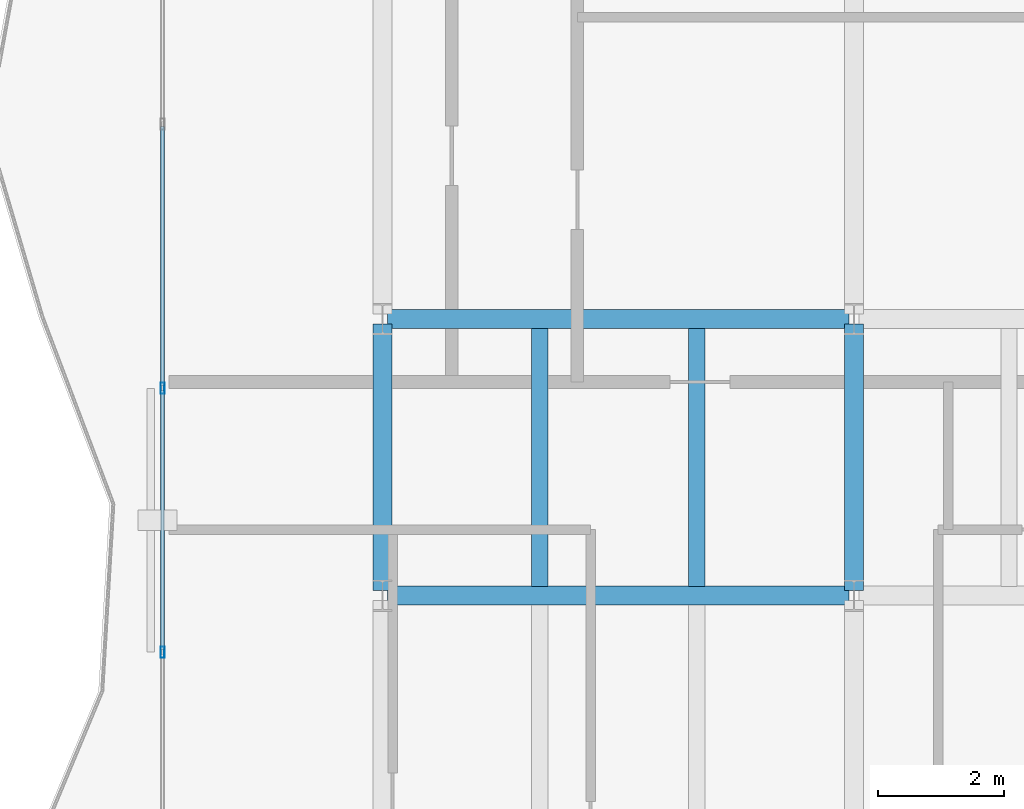
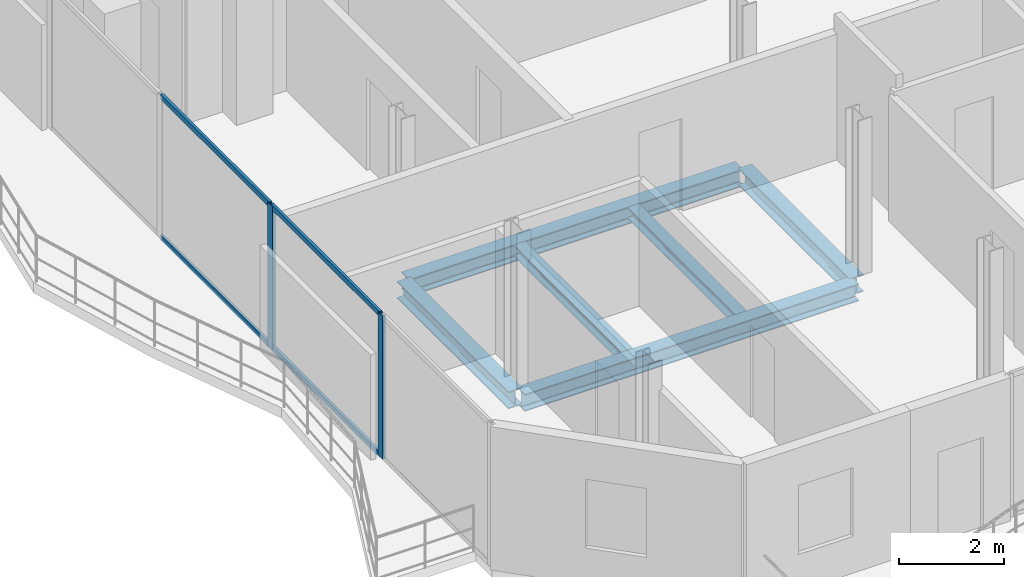
# One storey, part 5 of 23: 6 beams, 6 members, 1 element without a shape of its own.
"""IFC4 building model written with IfcOpenShell, lengths in metres."""

from ifc_helpers import new_model, si_unit, direction, frame, origin, origin_2d, place, context, subcontext, project, spatial, hollow_rectangle, i_section, extrude, material, layer, layer_set, material_profile, profile_set, type_object, element, aggregate, save


model = new_model("IFC4")

# Units and contexts
model_context = context("Model", 3, precision=1e-05, world=origin(), true_north=direction((0.0, 1.0)))
body_context = subcontext(model_context, "Body", "Model", "MODEL_VIEW")
ifc_project = project(units=[si_unit("LENGTHUNIT", "METRE"), si_unit("AREAUNIT", "SQUARE_METRE"), si_unit("VOLUMEUNIT", "CUBIC_METRE"), si_unit("PLANEANGLEUNIT", "RADIAN"), si_unit("MASSUNIT", "GRAM", prefix="KILO")], contexts=[model_context])

# Site, building, storey
site_placement = place(None, origin())
site = spatial("IfcSite", under=ifc_project, at=site_placement, CompositionType="ELEMENT")
building_placement = place(site_placement, origin())
building = spatial("IfcBuilding", under=site, at=building_placement, Name="Catumbela Crestline Tower", CompositionType="ELEMENT")
storey_placement = place(building_placement, frame((0.0, 0.0, 190.2)))
storey = spatial("IfcBuildingStorey", under=building, at=storey_placement, Name="L49", CompositionType="ELEMENT", Elevation=190.2)

# Beams
ifc_material_1 = material(Name="Structural steel S355J2", Category="steel")
ifc_material_profile_1 = material_profile(ifc_material_1, i_section(OverallWidth=0.3, OverallDepth=0.4, WebThickness=0.0135, FlangeThickness=0.024, FilletRadius=0.027, at=origin_2d()), Name="HEB 400")
ifc_profile_set_1 = profile_set([ifc_material_profile_1], Name="Structural steel S355J2")
beam_type_1 = type_object("IfcBeamType", Name="BG-HEB400", PredefinedType="BEAM", material=ifc_profile_set_1)
for number, where, z_axis, x_axis, name in (
    (1, (8.58, 13.6, -0.46), (1.0, 0.0, 0.0), (0.0, 1.0, 0.0), "L49 Beam BM-L49-WEW33"),
    (2, (8.58, 18.0, -0.46), (1.0, 0.0, 0.0), (0.0, 1.0, 0.0), "L49 Beam BM-L49-WEW35"),
):
    element("IfcBeam", number, at=place(storey_placement, frame(where, z_axis=z_axis, x_axis=x_axis)), inside=storey, type_object=beam_type_1, Name=name, PredefinedType="BEAM", context=body_context, shape_type="SweptSolid", body=[
        extrude(i_section(OverallWidth=0.3, OverallDepth=0.4, WebThickness=0.0135, FlangeThickness=0.024, FilletRadius=0.027, at=origin_2d()), origin(), (0.0, 0.0, 1.0), 7.34),
    ])
for number, where, z_axis, x_axis, name in (
    (3, (8.5, 13.68, -0.46), (0.0, 1.0, 0.0), (-1.0, 0.0, 0.0), "L49 Beam BM-L49-WNS38"),
    (4, (16.0, 13.68, -0.46), (0.0, 1.0, 0.0), (-1.0, 0.0, 0.0), "L49 Beam BM-L49-WNS41"),
):
    element("IfcBeam", number, at=place(storey_placement, frame(where, z_axis=z_axis, x_axis=x_axis)), inside=storey, type_object=beam_type_1, Name=name, PredefinedType="BEAM", context=body_context, shape_type="SweptSolid", body=[
        extrude(i_section(OverallWidth=0.3, OverallDepth=0.4, WebThickness=0.0135, FlangeThickness=0.024, FilletRadius=0.027, at=origin_2d()), origin(), (0.0, 0.0, 1.0), 4.24),
    ])
ifc_material_profile_2 = material_profile(ifc_material_1, i_section(OverallWidth=0.26, OverallDepth=0.25, WebThickness=0.0075, FlangeThickness=0.0125, FilletRadius=0.024, at=origin_2d()), Name="HEA 260")
ifc_profile_set_2 = profile_set([ifc_material_profile_2], Name="Structural steel S355J2")
beam_type_2 = type_object("IfcBeamType", Name="BJ-HEA260", PredefinedType="JOIST", material=ifc_profile_set_2)
for number, where, z_axis, x_axis, name in (
    (5, (11.0, 13.747, -0.385), (0.0, 1.0, 0.0), (-1.0, 0.0, 0.0), "L49 Joist JS-L49-WG46"),
    (6, (13.5, 13.747, -0.385), (0.0, 1.0, 0.0), (-1.0, 0.0, 0.0), "L49 Joist JS-L49-WG47"),
):
    element("IfcBeam", number, at=place(storey_placement, frame(where, z_axis=z_axis, x_axis=x_axis)), inside=storey, type_object=beam_type_2, Name=name, PredefinedType="JOIST", context=body_context, shape_type="SweptSolid", body=[
        extrude(i_section(OverallWidth=0.26, OverallDepth=0.25, WebThickness=0.0075, FlangeThickness=0.0125, FilletRadius=0.024, at=origin_2d()), origin(), (0.0, 0.0, 1.0), 4.106),
    ])

# Curtain wall, members
ifc_material_2 = material(Name="Aluminium alloy AW-6060-T66", Category="aluminium")
ifc_layer = layer(ifc_material_2, 0.18, Name="Aluminium alloy AW-6060-T66")
ifc_layer_set = layer_set([ifc_layer], Name="Aluminium alloy AW-6060-T66")
curtain_wall_type = type_object("IfcCurtainWallType", Name="CWU-Z3", PredefinedType="USERDEFINED", material=ifc_layer_set)
curtain_wall_placement = place(storey_placement, origin())
curtain_wall = element("IfcCurtainWall", 7, at=curtain_wall_placement, inside=storey, type_object=curtain_wall_type, Name="L49 Unitised Curtain Wall CW-L49-E9S2", ObjectType="UNITISED", PredefinedType="USERDEFINED")
ifc_material_profile_3 = material_profile(ifc_material_2, hollow_rectangle(XDim=0.065, YDim=0.18, WallThickness=0.004, at=origin_2d()), Name="ALU 180x65x4")
ifc_profile_set_3 = profile_set([ifc_material_profile_3], Name="Aluminium alloy AW-6060-T66")
member_type_1 = type_object("IfcMemberType", Name="MUL-180X65", PredefinedType="MULLION", material=ifc_profile_set_3)
member_1_placement = place(storey_placement, frame((5.0, 16.9, 0.0), z_axis=(0.0, 0.0, 1.0), x_axis=(1.0, 0.0, 0.0)))
member_1 = element("IfcMember", 8, at=member_1_placement, type_object=member_type_1, Name="CWU-Z3 mullion 5", PredefinedType="MULLION", context=body_context, shape_type="SweptSolid", body=[
    extrude(hollow_rectangle(XDim=0.065, YDim=0.18, WallThickness=0.004, at=origin_2d()), origin(), (0.0, 0.0, 1.0), 3.33),
])
member_2_placement = place(storey_placement, frame((5.0, 12.7, 0.0), z_axis=(0.0, 0.0, 1.0), x_axis=(1.0, 0.0, 0.0)))
member_2 = element("IfcMember", 9, at=member_2_placement, type_object=member_type_1, Name="CWU-Z3 mullion 6", PredefinedType="MULLION", context=body_context, shape_type="SweptSolid", body=[
    extrude(hollow_rectangle(XDim=0.065, YDim=0.18, WallThickness=0.004, at=origin_2d()), origin(), (0.0, 0.0, 1.0), 3.33),
])
ifc_material_profile_4 = material_profile(ifc_material_2, hollow_rectangle(XDim=0.06, YDim=0.12, WallThickness=0.0035, at=origin_2d()), Name="ALU 120x60x3.5")
ifc_profile_set_4 = profile_set([ifc_material_profile_4], Name="Aluminium alloy AW-6060-T66")
member_type_2 = type_object("IfcMemberType", Name="TRN-120X60", PredefinedType="USERDEFINED", material=ifc_profile_set_4)
member_3_placement = place(storey_placement, frame((5.0, 21.0675, 0.03), z_axis=(0.0, -1.0, 0.0), x_axis=(1.0, 0.0, 0.0)))
member_3 = element("IfcMember", 10, at=member_3_placement, type_object=member_type_2, Name="CWU-Z3 transom 4.1", ObjectType="TRANSOM", PredefinedType="USERDEFINED", context=body_context, shape_type="SweptSolid", body=[
    extrude(hollow_rectangle(XDim=0.06, YDim=0.12, WallThickness=0.0035, at=origin_2d()), origin(), (0.0, 0.0, 1.0), 4.135),
])
member_4_placement = place(storey_placement, frame((5.0, 21.0675, 3.3), z_axis=(0.0, -1.0, 0.0), x_axis=(1.0, 0.0, 0.0)))
member_4 = element("IfcMember", 11, at=member_4_placement, type_object=member_type_2, Name="CWU-Z3 transom 4.2", ObjectType="TRANSOM", PredefinedType="USERDEFINED", context=body_context, shape_type="SweptSolid", body=[
    extrude(hollow_rectangle(XDim=0.06, YDim=0.12, WallThickness=0.0035, at=origin_2d()), origin(), (0.0, 0.0, 1.0), 4.135),
])
member_5_placement = place(storey_placement, frame((5.0, 16.8675, 0.03), z_axis=(0.0, -1.0, 0.0), x_axis=(1.0, 0.0, 0.0)))
member_5 = element("IfcMember", 12, at=member_5_placement, type_object=member_type_2, Name="CWU-Z3 transom 5.1", ObjectType="TRANSOM", PredefinedType="USERDEFINED", context=body_context, shape_type="SweptSolid", body=[
    extrude(hollow_rectangle(XDim=0.06, YDim=0.12, WallThickness=0.0035, at=origin_2d()), origin(), (0.0, 0.0, 1.0), 4.135),
])
member_6_placement = place(storey_placement, frame((5.0, 16.8675, 3.3), z_axis=(0.0, -1.0, 0.0), x_axis=(1.0, 0.0, 0.0)))
member_6 = element("IfcMember", 13, at=member_6_placement, type_object=member_type_2, Name="CWU-Z3 transom 5.2", ObjectType="TRANSOM", PredefinedType="USERDEFINED", context=body_context, shape_type="SweptSolid", body=[
    extrude(hollow_rectangle(XDim=0.06, YDim=0.12, WallThickness=0.0035, at=origin_2d()), origin(), (0.0, 0.0, 1.0), 4.135),
])
aggregate(curtain_wall, [member_1, member_2, member_3, member_4, member_5, member_6])

save(model, "model.ifc")
